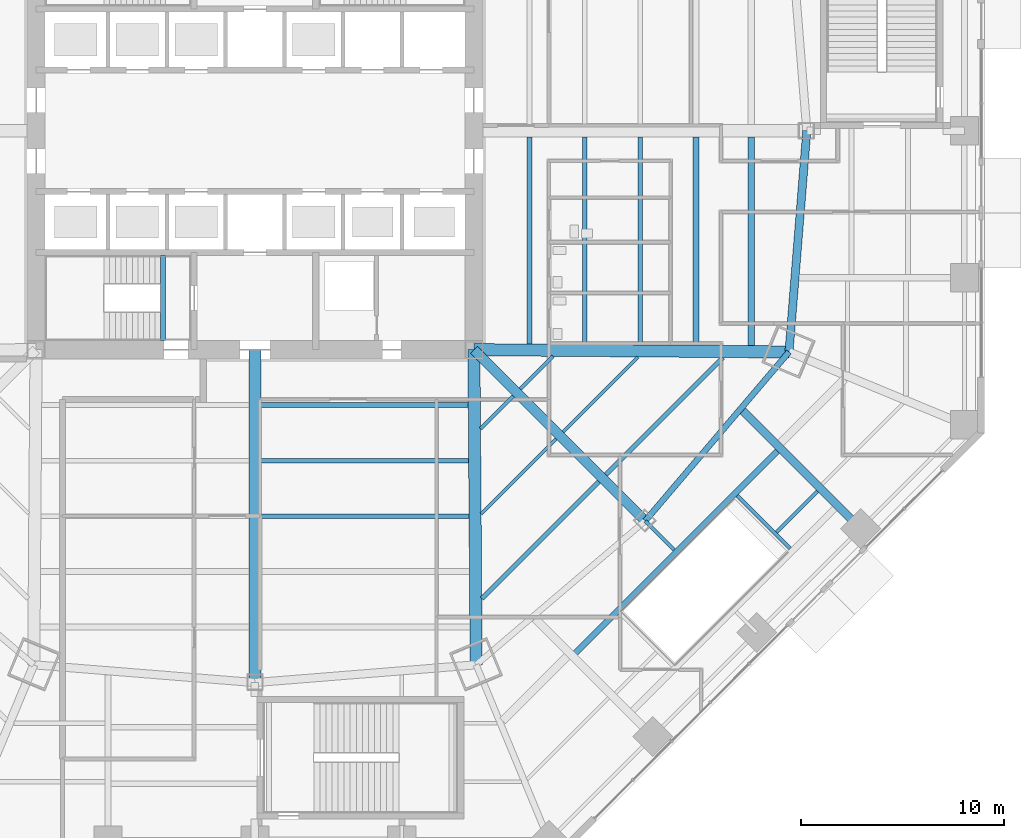
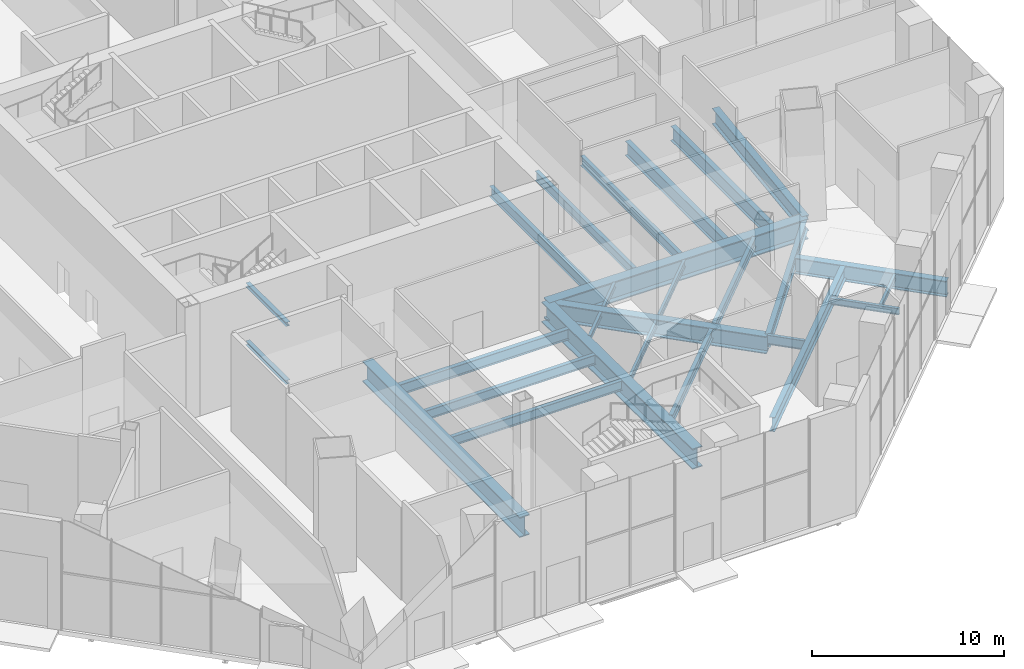
# One storey, part 7 of 35: 26 beams, 1 member.
"""IFC4 building model written with IfcOpenShell, lengths in metres."""

from ifc_helpers import new_model, si_unit, direction, frame, origin, origin_2d, place, context, subcontext, project, spatial, i_section, extrude, source, transform, mapped, material, material_profile, profile_set, type_object, type_shapes, element, save


model = new_model("IFC4")

# Units and contexts
model_context = context("Model", 3, precision=1e-05, world=origin(), true_north=direction((0.0, 1.0)))
body_context = subcontext(model_context, "Body", "Model", "MODEL_VIEW")
ifc_project = project(units=[si_unit("LENGTHUNIT", "METRE"), si_unit("AREAUNIT", "SQUARE_METRE"), si_unit("VOLUMEUNIT", "CUBIC_METRE"), si_unit("PLANEANGLEUNIT", "RADIAN"), si_unit("MASSUNIT", "GRAM", prefix="KILO")], contexts=[model_context])

# Site, building, storey
site_placement = place(None, origin())
site = spatial("IfcSite", under=ifc_project, at=site_placement, CompositionType="ELEMENT")
building_placement = place(site_placement, origin())
building = spatial("IfcBuilding", under=site, at=building_placement, Name="Mashrafa Tower", CompositionType="ELEMENT")
storey_placement = place(building_placement, origin())
storey = spatial("IfcBuildingStorey", under=building, at=storey_placement, Name="L00", CompositionType="ELEMENT", Elevation=0.0)

# Beams
ifc_material_1 = material(Name="Steel ASTM A572 Gr 50", Category="steel")
ifc_material_profile_1 = material_profile(ifc_material_1, i_section(OverallWidth=0.5, OverallDepth=1.10009765625, WebThickness=0.02490234375, FlangeThickness=0.050048828125, at=origin_2d()), Name="H1100X500X25X50")
ifc_profile_set_1 = profile_set([ifc_material_profile_1], Name="Steel ASTM A572 Gr 50")
beam_type_1 = type_object("IfcBeamType", Name="Beam H1100X500X25X50", PredefinedType="BEAM", material=ifc_profile_set_1)
beam_1_placement = place(storey_placement, frame((10.800048828125, -10.800048828125, -0.85009765625), z_axis=(0.707106781187, -0.707106781187, 0.0), x_axis=(0.707106781187, 0.707106781187, 0.0)))
element("IfcBeam", 1, at=beam_1_placement, inside=storey, type_object=beam_type_1, Name="Radial girder L00 207", PredefinedType="BEAM", context=body_context, shape_type="SweptSolid", body=[
    extrude(i_section(OverallWidth=0.5, OverallDepth=1.10009765625, WebThickness=0.02490234375, FlangeThickness=0.050048828125, at=origin_2d()), origin(), (0.0, 0.0, 1.0), 11.94970703125),
])
ifc_material_2 = material(Name="Steel ASTM A572 Gr 50", Category="steel")
ifc_material_profile_2 = material_profile(ifc_material_2, i_section(OverallWidth=0.60009765625, OverallDepth=1.300048828125, WebThickness=0.028076171875, FlangeThickness=0.06494140625, at=origin_2d()), Name="H1300X600X28X65")
ifc_profile_set_2 = profile_set([ifc_material_profile_2], Name="Steel ASTM A572 Gr 50")
beam_type_2 = type_object("IfcBeamType", Name="Beam H1300X600X28X65", PredefinedType="BEAM", material=ifc_profile_set_2)
beam_2_placement = place(storey_placement, frame((0.0, -10.800048828125, -0.949951171875), z_axis=(0.0, -1.0, 0.0), x_axis=(1.0, 0.0, 0.0)))
element("IfcBeam", 2, at=beam_2_placement, inside=storey, type_object=beam_type_2, Name="Radial girder L00 204", PredefinedType="BEAM", context=body_context, shape_type="SweptSolid", body=[
    extrude(i_section(OverallWidth=0.60009765625, OverallDepth=1.300048828125, WebThickness=0.028076171875, FlangeThickness=0.06494140625, at=origin_2d()), origin(), (0.0, 0.0, 1.0), 16.423095703125),
])
for number, where, z_axis, x_axis, name in (
    (3, (10.800048828125, -10.800048828125, -0.949951171875), (0.007240041422, -0.999973790557, 0.0), (0.999973790557, 0.007240041422, 0.0), "Radial girder L00 206"),
    (4, (10.800048828125, -10.800048828125, -0.949951171875), (0.999973790557, -0.007240041422, 0.0), (0.007240041422, 0.999973790557, 0.0), "Radial girder L00 208"),
):
    element("IfcBeam", number, at=place(storey_placement, frame(where, z_axis=z_axis, x_axis=x_axis)), inside=storey, type_object=beam_type_2, Name=name, PredefinedType="BEAM", context=body_context, shape_type="SweptSolid", body=[
        extrude(i_section(OverallWidth=0.60009765625, OverallDepth=1.300048828125, WebThickness=0.028076171875, FlangeThickness=0.06494140625, at=origin_2d()), origin(), (0.0, 0.0, 1.0), 15.54541015625),
    ])
ifc_material_3 = material(Name="Steel ASTM A992", Category="steel")
ifc_material_profile_3 = material_profile(ifc_material_3, i_section(OverallWidth=0.164794921875, OverallDepth=0.309814453125, WebThickness=0.005859375, FlangeThickness=0.009765625, FilletRadius=0.007568359375, at=origin_2d()), Name="W12X26")
ifc_profile_set_3 = profile_set([ifc_material_profile_3], Name="Steel ASTM A992")
beam_type_3 = type_object("IfcBeamType", Name="Beam W12X26", PredefinedType="BEAM", material=ifc_profile_set_3)
for number, where, z_axis, x_axis, name in (
    (5, (12.735595703125, -13.089111328125, -0.454833984375), (-0.707053076194, -0.7071604821, 0.0), (0.7071604821, -0.707053076194, 0.0), "Floor beam L00 072"),
    (6, (14.696533203125, -11.12841796875, -0.454833984375), (-0.7071604821, -0.707053076194, 0.0), (0.707053076194, -0.7071604821, 0.0), "Floor beam L00 078"),
):
    element("IfcBeam", number, at=place(storey_placement, frame(where, z_axis=z_axis, x_axis=x_axis)), inside=storey, type_object=beam_type_3, Name=name, PredefinedType="BEAM", context=body_context, shape_type="SweptSolid", body=[
        extrude(i_section(OverallWidth=0.164794921875, OverallDepth=0.309814453125, WebThickness=0.005859375, FlangeThickness=0.009765625, FilletRadius=0.007568359375, at=origin_2d()), origin(), (0.0, 0.0, 1.0), 2.27294921875),
    ])
beam_3_placement = place(storey_placement, frame((27.752685546875, -17.78515625, -0.454833984375), z_axis=(-0.707149389531, -0.707064170275, 0.0), x_axis=(0.707064170275, -0.707149389531, 0.0)))
element("IfcBeam", 7, at=beam_3_placement, inside=storey, type_object=beam_type_3, Name="Floor beam L00 097", PredefinedType="BEAM", context=body_context, shape_type="SweptSolid", body=[
    extrude(i_section(OverallWidth=0.164794921875, OverallDepth=0.309814453125, WebThickness=0.005859375, FlangeThickness=0.009765625, FilletRadius=0.007568359375, at=origin_2d()), origin(), (0.0, 0.0, 1.0), 2.86474609375),
])
ifc_material_4 = material(Name="Steel ASTM A992", Category="steel")
ifc_material_profile_4 = material_profile(ifc_material_4, i_section(OverallWidth=0.177734375, OverallDepth=0.406494140625, WebThickness=0.0078125, FlangeThickness=0.012939453125, FilletRadius=0.01025390625, at=origin_2d()), Name="W16X40")
ifc_profile_set_4 = profile_set([ifc_material_profile_4], Name="Steel ASTM A992")
beam_type_4 = type_object("IfcBeamType", Name="Beam W16X40", PredefinedType="BEAM", material=ifc_profile_set_4)
beam_4_placement = place(storey_placement, frame((26.404541015625, -20.614501953125, -0.503173828125), z_axis=(-0.707106781187, 0.707106781187, 0.0), x_axis=(-0.707106781187, -0.707106781187, 0.0)))
element("IfcBeam", 8, at=beam_4_placement, inside=storey, type_object=beam_type_4, Name="Header beam L00 107", PredefinedType="BEAM", context=body_context, shape_type="SweptSolid", body=[
    extrude(i_section(OverallWidth=0.177734375, OverallDepth=0.406494140625, WebThickness=0.0078125, FlangeThickness=0.012939453125, FilletRadius=0.01025390625, at=origin_2d()), origin(), (0.0, 0.0, 1.0), 3.695068359375),
])
ifc_material_5 = material(Name="Steel ASTM A992", Category="steel")
ifc_material_profile_5 = material_profile(ifc_material_5, i_section(OverallWidth=0.15234375, OverallDepth=0.449462890625, WebThickness=0.007568359375, FlangeThickness=0.0107421875, FilletRadius=0.01025390625, at=origin_2d()), Name="W18X35")
ifc_profile_set_5 = profile_set([ifc_material_profile_5], Name="Steel ASTM A992")
beam_type_5 = type_object("IfcBeamType", Name="Beam W18X35", PredefinedType="BEAM", material=ifc_profile_set_5)
for number, where, z_axis, x_axis, name in (
    (9, (14.84814453125, -15.20166015625, -0.52490234375), (-0.707106781187, -0.707106781187, 0.0), (0.707106781187, -0.707106781187, 0.0), "Floor beam L00 079"),
    (10, (18.89111328125, -11.15869140625, -0.52490234375), (-0.707106781187, -0.707106781187, 0.0), (0.707106781187, -0.707106781187, 0.0), "Floor beam L00 088"),
):
    element("IfcBeam", number, at=place(storey_placement, frame(where, z_axis=z_axis, x_axis=x_axis)), inside=storey, type_object=beam_type_5, Name=name, PredefinedType="BEAM", context=body_context, shape_type="SweptSolid", body=[
        extrude(i_section(OverallWidth=0.15234375, OverallDepth=0.449462890625, WebThickness=0.007568359375, FlangeThickness=0.0107421875, FilletRadius=0.01025390625, at=origin_2d()), origin(), (0.0, 0.0, 1.0), 5.2177734375),
    ])
ifc_material_6 = material(Name="Steel ASTM A992", Category="steel")
ifc_material_profile_6 = material_profile(ifc_material_6, i_section(OverallWidth=0.228271484375, OverallDepth=0.607177734375, WebThickness=0.01123046875, FlangeThickness=0.017333984375, FilletRadius=0.0126953125, at=origin_2d()), Name="W24X76")
ifc_profile_set_6 = profile_set([ifc_material_profile_6], Name="Steel ASTM A992")
beam_type_6 = type_object("IfcBeamType", Name="Beam W24X76", PredefinedType="BEAM", material=ifc_profile_set_6)
beam_5_placement = place(storey_placement, frame((10.53955078125, -16.2744140625, -0.603515625), z_axis=(-1.0, 0.0, 0.0), x_axis=(0.0, -1.0, 0.0)))
element("IfcBeam", 11, at=beam_5_placement, inside=storey, type_object=beam_type_6, Name="Floor beam L00 064", PredefinedType="BEAM", context=body_context, shape_type="SweptSolid", body=[
    extrude(i_section(OverallWidth=0.228271484375, OverallDepth=0.607177734375, WebThickness=0.01123046875, FlangeThickness=0.017333984375, FilletRadius=0.0126953125, at=origin_2d()), origin(), (0.0, 0.0, 1.0), 10.239501953125),
])
beam_6_placement = place(storey_placement, frame((10.559326171875, -19.01171875, -0.603515625), z_axis=(-1.0, 0.0, 0.0), x_axis=(0.0, -1.0, 0.0)))
element("IfcBeam", 12, at=beam_6_placement, inside=storey, type_object=beam_type_6, Name="Floor beam L00 065", PredefinedType="BEAM", context=body_context, shape_type="SweptSolid", body=[
    extrude(i_section(OverallWidth=0.228271484375, OverallDepth=0.607177734375, WebThickness=0.01123046875, FlangeThickness=0.017333984375, FilletRadius=0.0126953125, at=origin_2d()), origin(), (0.0, 0.0, 1.0), 10.25927734375),
])
beam_7_placement = place(storey_placement, frame((16.2744140625, -0.300048828125, -0.603515625), z_axis=(0.0, -1.0, 0.0), x_axis=(1.0, 0.0, 0.0)))
element("IfcBeam", 13, at=beam_7_placement, inside=storey, type_object=beam_type_6, Name="Floor beam L00 081", PredefinedType="BEAM", context=body_context, shape_type="SweptSolid", body=[
    extrude(i_section(OverallWidth=0.228271484375, OverallDepth=0.607177734375, WebThickness=0.01123046875, FlangeThickness=0.017333984375, FilletRadius=0.0126953125, at=origin_2d()), origin(), (0.0, 0.0, 1.0), 10.239501953125),
])
beam_8_placement = place(storey_placement, frame((16.96044921875, -17.314208984375, -0.603515625), z_axis=(-0.707106781187, -0.707106781187, 0.0), x_axis=(0.707106781187, -0.707106781187, 0.0)))
element("IfcBeam", 14, at=beam_8_placement, inside=storey, type_object=beam_type_6, Name="Floor beam L00 083", PredefinedType="BEAM", context=body_context, shape_type="SweptSolid", body=[
    extrude(i_section(OverallWidth=0.228271484375, OverallDepth=0.607177734375, WebThickness=0.01123046875, FlangeThickness=0.017333984375, FilletRadius=0.0126953125, at=origin_2d()), origin(), (0.0, 0.0, 1.0), 8.162109375),
])
beam_9_placement = place(storey_placement, frame((19.01171875, -0.300048828125, -0.603515625), z_axis=(0.0, -1.0, 0.0), x_axis=(1.0, 0.0, 0.0)))
element("IfcBeam", 15, at=beam_9_placement, inside=storey, type_object=beam_type_6, Name="Floor beam L00 086", PredefinedType="BEAM", context=body_context, shape_type="SweptSolid", body=[
    extrude(i_section(OverallWidth=0.228271484375, OverallDepth=0.607177734375, WebThickness=0.01123046875, FlangeThickness=0.017333984375, FilletRadius=0.0126953125, at=origin_2d()), origin(), (0.0, 0.0, 1.0), 10.25927734375),
])
beam_10_placement = place(storey_placement, frame((23.085693359375, -11.18896484375, -0.603515625), z_axis=(-0.707106781187, -0.707106781187, 0.0), x_axis=(0.707106781187, -0.707106781187, 0.0)))
element("IfcBeam", 16, at=beam_10_placement, inside=storey, type_object=beam_type_6, Name="Floor beam L00 094", PredefinedType="BEAM", context=body_context, shape_type="SweptSolid", body=[
    extrude(i_section(OverallWidth=0.228271484375, OverallDepth=0.607177734375, WebThickness=0.01123046875, FlangeThickness=0.017333984375, FilletRadius=0.0126953125, at=origin_2d()), origin(), (0.0, 0.0, 1.0), 8.162109375),
])
ifc_material_7 = material(Name="Steel ASTM A992", Category="steel")
ifc_material_profile_7 = material_profile(ifc_material_7, i_section(OverallWidth=0.25390625, OverallDepth=0.67822265625, WebThickness=0.01171875, FlangeThickness=0.016357421875, FilletRadius=0.01513671875, at=origin_2d()), Name="W27X84")
ifc_profile_set_7 = profile_set([ifc_material_profile_7], Name="Steel ASTM A992")
beam_type_7 = type_object("IfcBeamType", Name="Beam W27X84", PredefinedType="BEAM", material=ifc_profile_set_7)
for number, where, z_axis, x_axis, name in (
    (17, (10.519775390625, -13.537109375, -0.63916015625), (-1.0, 0.0, 0.0), (0.0, -1.0, 0.0), "Floor beam L00 062"),
    (18, (13.537109375, -0.300048828125, -0.63916015625), (0.0, -1.0, 0.0), (1.0, 0.0, 0.0), "Floor beam L00 076"),
):
    element("IfcBeam", number, at=place(storey_placement, frame(where, z_axis=z_axis, x_axis=x_axis)), inside=storey, type_object=beam_type_7, Name=name, PredefinedType="BEAM", context=body_context, shape_type="SweptSolid", body=[
        extrude(i_section(OverallWidth=0.25390625, OverallDepth=0.67822265625, WebThickness=0.01171875, FlangeThickness=0.016357421875, FilletRadius=0.01513671875, at=origin_2d()), origin(), (0.0, 0.0, 1.0), 10.2197265625),
    ])
ifc_material_8 = material(Name="Steel ASTM A992", Category="steel")
ifc_material_profile_8 = material_profile(ifc_material_8, i_section(OverallWidth=0.2919921875, OverallDepth=0.8408203125, WebThickness=0.0146484375, FlangeThickness=0.021728515625, FilletRadius=0.017333984375, at=origin_2d()), Name="W33X130")
ifc_profile_set_8 = profile_set([ifc_material_profile_8], Name="Steel ASTM A992")
beam_type_8 = type_object("IfcBeamType", Name="Beam W33X130", PredefinedType="BEAM", material=ifc_profile_set_8)
beam_11_placement = place(storey_placement, frame((19.249755859375, -19.249755859375, -0.720458984375), z_axis=(0.648105971434, 0.76155016236, 0.0), x_axis=(-0.76155016236, 0.648105971434, 0.0)))
element("IfcBeam", 19, at=beam_11_placement, inside=storey, type_object=beam_type_8, Name="Podium ring girder L00 192", PredefinedType="BEAM", context=body_context, shape_type="SweptSolid", body=[
    extrude(i_section(OverallWidth=0.2919921875, OverallDepth=0.8408203125, WebThickness=0.0146484375, FlangeThickness=0.021728515625, FilletRadius=0.017333984375, at=origin_2d()), origin(), (0.0, 0.0, 1.0), 10.947509765625),
])
ifc_material_9 = material(Name="Steel ASTM A992", Category="steel")
ifc_material_profile_9 = material_profile(ifc_material_9, i_section(OverallWidth=0.3046875, OverallDepth=0.911865234375, WebThickness=0.015869140625, FlangeThickness=0.02392578125, FilletRadius=0.01904296875, at=origin_2d()), Name="W36X150")
ifc_profile_set_9 = profile_set([ifc_material_profile_9], Name="Steel ASTM A992")
beam_type_9 = type_object("IfcBeamType", Name="Beam W36X150", PredefinedType="BEAM", material=ifc_profile_set_9)
beam_12_placement = place(storey_placement, frame((21.748779296875, -0.300048828125, -0.755859375), z_axis=(0.0, -1.0, 0.0), x_axis=(1.0, 0.0, 0.0)))
element("IfcBeam", 20, at=beam_12_placement, inside=storey, type_object=beam_type_9, Name="Floor beam L00 091", PredefinedType="BEAM", context=body_context, shape_type="SweptSolid", body=[
    extrude(i_section(OverallWidth=0.3046875, OverallDepth=0.911865234375, WebThickness=0.015869140625, FlangeThickness=0.02392578125, FilletRadius=0.01904296875, at=origin_2d()), origin(), (0.0, 0.0, 1.0), 10.279052734375),
])
beam_13_placement = place(storey_placement, frame((15.663330078125, -25.91455078125, -0.755859375), z_axis=(0.707106781187, 0.707106781187, 0.0), x_axis=(-0.707106781187, 0.707106781187, 0.0)))
element("IfcBeam", 21, at=beam_13_placement, inside=storey, type_object=beam_type_9, Name="Trimmer beam L00 213", PredefinedType="BEAM", context=body_context, shape_type="SweptSolid", body=[
    extrude(i_section(OverallWidth=0.3046875, OverallDepth=0.911865234375, WebThickness=0.015869140625, FlangeThickness=0.02392578125, FilletRadius=0.01904296875, at=origin_2d()), origin(), (0.0, 0.0, 1.0), 14.497314453125),
])
ifc_material_10 = material(Name="Steel ASTM A992", Category="steel")
ifc_material_profile_10 = material_profile(ifc_material_10, i_section(OverallWidth=0.307373046875, OverallDepth=0.927001953125, WebThickness=0.01953125, FlangeThickness=0.031982421875, FilletRadius=0.01904296875, at=origin_2d()), Name="W36X194")
ifc_profile_set_10 = profile_set([ifc_material_profile_10], Name="Steel ASTM A992")
beam_type_10 = type_object("IfcBeamType", Name="Beam W36X194", PredefinedType="BEAM", material=ifc_profile_set_10)
beam_14_placement = place(storey_placement, frame((24.486083984375, -0.300048828125, -0.763671875), z_axis=(0.0, -1.0, 0.0), x_axis=(1.0, 0.0, 0.0)))
element("IfcBeam", 22, at=beam_14_placement, inside=storey, type_object=beam_type_10, Name="Floor beam L00 095", PredefinedType="BEAM", context=body_context, shape_type="SweptSolid", body=[
    extrude(i_section(OverallWidth=0.307373046875, OverallDepth=0.927001953125, WebThickness=0.01953125, FlangeThickness=0.031982421875, FilletRadius=0.01904296875, at=origin_2d()), origin(), (0.0, 0.0, 1.0), 10.299072265625),
])
ifc_material_11 = material(Name="Steel ASTM A992", Category="steel")
ifc_material_profile_11 = material_profile(ifc_material_11, i_section(OverallWidth=0.4013671875, OverallDepth=1.010986328125, WebThickness=0.023681640625, FlangeThickness=0.0419921875, FilletRadius=0.02001953125, at=origin_2d()), Name="W40X297")
ifc_profile_set_11 = profile_set([ifc_material_profile_11], Name="Steel ASTM A992")
beam_type_11 = type_object("IfcBeamType", Name="Beam W40X297", PredefinedType="BEAM", material=ifc_profile_set_11)
beam_15_placement = place(storey_placement, frame((24.06640625, -13.815185546875, -0.805419921875), z_axis=(0.707121642771, -0.707091919289, 0.0), x_axis=(0.707091919289, 0.707121642771, 0.0)))
element("IfcBeam", 23, at=beam_15_placement, inside=storey, type_object=beam_type_11, Name="Podium radial beam L00 172", PredefinedType="BEAM", context=body_context, shape_type="SweptSolid", body=[
    extrude(i_section(OverallWidth=0.4013671875, OverallDepth=1.010986328125, WebThickness=0.023681640625, FlangeThickness=0.0419921875, FilletRadius=0.02001953125, at=origin_2d()), origin(), (0.0, 0.0, 1.0), 8.213623046875),
])
beam_16_placement = place(storey_placement, frame((26.344970703125, -10.91259765625, -0.805419921875), z_axis=(0.080214086477, 0.996777658423, 0.0), x_axis=(-0.996777658423, 0.080214086477, 0.0)))
element("IfcBeam", 24, at=beam_16_placement, inside=storey, type_object=beam_type_11, Name="Podium ring girder L00 194", PredefinedType="BEAM", context=body_context, shape_type="SweptSolid", body=[
    extrude(i_section(OverallWidth=0.4013671875, OverallDepth=1.010986328125, WebThickness=0.023681640625, FlangeThickness=0.0419921875, FilletRadius=0.02001953125, at=origin_2d()), origin(), (0.0, 0.0, 1.0), 10.94775390625),
])
ifc_material_12 = material(Name="Steel ASTM A992", Category="steel")
ifc_material_profile_12 = material_profile(ifc_material_12, i_section(OverallWidth=0.25390625, OverallDepth=0.25390625, WebThickness=0.008544921875, FlangeThickness=0.01416015625, FilletRadius=0.010009765625, at=origin_2d()), Name="W10X49")
ifc_profile_set_12 = profile_set([ifc_material_profile_12], Name="Steel ASTM A992")
beam_type_12 = type_object("IfcBeamType", Name="Hoistway beam W10X49", PredefinedType="BEAM", material=ifc_profile_set_12)
for number, where, z_axis, x_axis, name in (
    (25, (-4.530029296875, -10.35009765625, -0.427001953125), (0.0, 1.0, 0.0), (-1.0, 0.0, 0.0), "Stair S3 landing beam L00"),
    (26, (-4.530029296875, -10.35009765625, 3.27294921875), (0.0, 1.0, 0.0), (-1.0, 0.0, 0.0), "Stair S3 landing beam L00"),
):
    element("IfcBeam", number, at=place(storey_placement, frame(where, z_axis=z_axis, x_axis=x_axis)), inside=storey, type_object=beam_type_12, Name=name, PredefinedType="BEAM", context=body_context, shape_type="SweptSolid", body=[
        extrude(i_section(OverallWidth=0.25390625, OverallDepth=0.25390625, WebThickness=0.008544921875, FlangeThickness=0.01416015625, FilletRadius=0.010009765625, at=origin_2d()), origin(), (0.0, 0.0, 1.0), 4.2001953125),
    ])

# Member
ifc_material_13 = material(Name="Steel ASTM A992", Category="steel")
ifc_material_profile_13 = material_profile(ifc_material_13, i_section(OverallWidth=0.177978515625, OverallDepth=0.599365234375, WebThickness=0.010009765625, FlangeThickness=0.012939453125, FilletRadius=0.012939453125, at=origin_2d()), Name="W24X55")
ifc_profile_set_13 = profile_set([ifc_material_profile_13], Name="Steel ASTM A992")
member_type = type_object("IfcMemberType", Name="Tie strut W24X55", PredefinedType="STRUT", material=ifc_profile_set_13)
shared_shape = source(origin(), body_context, "Body", "SweptSolid", [
    extrude(i_section(OverallWidth=0.177978515625, OverallDepth=0.599365234375, WebThickness=0.010009765625, FlangeThickness=0.012939453125, FilletRadius=0.012939453125, at=origin_2d()), origin(), (0.0, 0.0, 1.0), 2.006591796875),
])
type_shapes(member_type, [shared_shape])
member_placement = place(storey_placement, frame((19.249755859375, -19.249755859375, -0.599609375), z_axis=(0.707106781187, -0.707106781187, 0.0), x_axis=(0.707106781187, 0.707106781187, 0.0)))
element("IfcMember", 27, at=member_placement, inside=storey, type_object=member_type, Name="Tie strut L00 169", PredefinedType="STRUT", context=body_context, shape_type="MappedRepresentation", body=[
    mapped(shared_shape, transform((0.0, 0.0, 0.0))),
])

save(model, "model.ifc")
